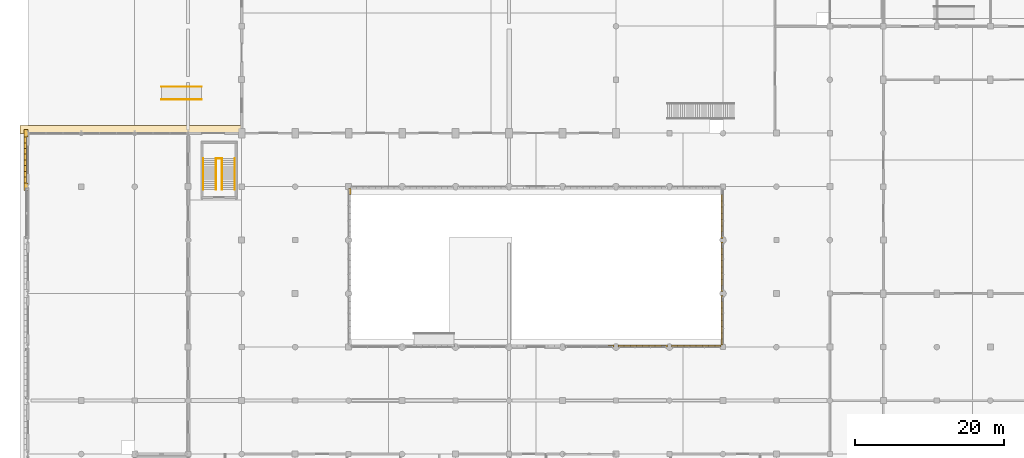
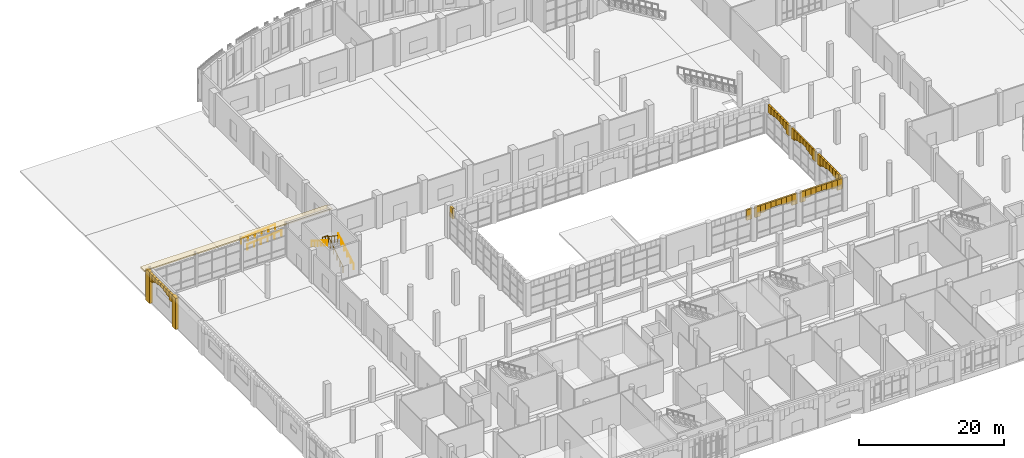
# One storey, part 74 of 85: 52 coverings, 5 railings.
"""IFC4 building model written with IfcOpenShell, lengths in metres."""

from ifc_helpers import new_model, si_unit, direction, frame, frame_2d, origin, origin_2d, place, context, subcontext, project, spatial, polyline, rectangle, circle, outline, extrude, material, layer, layer_set, type_object, element, save


model = new_model("IFC4")

# Units and contexts
model_context = context("Model", 3, precision=1e-05, world=origin(), true_north=direction((0.0, 1.0)))
body_context = subcontext(model_context, "Body", "Model", "MODEL_VIEW")
ifc_project = project(units=[si_unit("LENGTHUNIT", "METRE"), si_unit("AREAUNIT", "SQUARE_METRE"), si_unit("VOLUMEUNIT", "CUBIC_METRE"), si_unit("PLANEANGLEUNIT", "RADIAN"), si_unit("MASSUNIT", "GRAM", prefix="KILO")], contexts=[model_context])

# Site, building, storey
site_placement = place(None, origin())
site = spatial("IfcSite", under=ifc_project, at=site_placement, CompositionType="ELEMENT")
building_placement = place(site_placement, origin())
building = spatial("IfcBuilding", under=site, at=building_placement, Name="Sardonyx Promenade Sports Hall", CompositionType="ELEMENT")
storey_placement = place(building_placement, origin())
storey = spatial("IfcBuildingStorey", under=building, at=storey_placement, Name="L00", CompositionType="ELEMENT", Elevation=0.0)

# Coverings
ifc_material_1 = material(Name="Dressed Cape red sandstone cornice", Category="masonry")
ifc_layer_1 = layer(ifc_material_1, 0.139892578125)
ifc_layer_set_1 = layer_set([ifc_layer_1], Name="Cov_Chhajja_Eave")
covering_type_1 = type_object("IfcCoveringType", Name="Cov_Chhajja_Eave", PredefinedType="MOLDING", material=ifc_layer_set_1)
covering_1_placement = place(storey_placement, frame((0.0, 0.0, 5.25)))
element("IfcCovering", 1, at=covering_1_placement, inside=storey, type_object=covering_type_1, Name="West promenade north chhajja cornice", PredefinedType="MOLDING", context=body_context, shape_type="SweptSolid", body=[
    extrude(outline(polyline([(-1.050048828125, 71.949951171875), (28.85009765625, 71.949951171875), (28.85009765625, 73.050048828125), (-1.050048828125, 73.050048828125), (-1.050048828125, 71.949951171875)])), origin(), (0.0, 0.0, 1.0), 0.219970703125),
])
ifc_material_2 = material(Name="Dressed Cape red sandstone ashlar", Category="masonry")
ifc_layer_2 = layer(ifc_material_2, 0.06005859375)
ifc_layer_set_2 = layer_set([ifc_layer_2], Name="Cov_Cladding_Sandstone")
covering_type_2 = type_object("IfcCoveringType", Name="Cov_Cladding_Sandstone", PredefinedType="CLADDING", material=ifc_layer_set_2)
covering_2_placement = place(storey_placement, origin())
element("IfcCovering", 2, at=covering_2_placement, inside=storey, type_object=covering_type_2, Name="West sandstone pier casing L00 #9", PredefinedType="CLADDING", context=body_context, shape_type="SweptSolid", body=[
    extrude(outline(polyline([(-0.5, 64.280029296875), (0.02001953125, 64.280029296875), (0.02001953125, 65.320068359375), (-0.5, 65.320068359375), (-0.5, 64.280029296875)])), origin(), (0.0, 0.0, 1.0), 5.25),
])
covering_3_placement = place(storey_placement, origin())
element("IfcCovering", 3, at=covering_3_placement, inside=storey, type_object=covering_type_2, Name="West sandstone pier casing L00 #10", PredefinedType="CLADDING", context=body_context, shape_type="SweptSolid", body=[
    extrude(outline(polyline([(-0.5, 71.47998046875), (0.02001953125, 71.47998046875), (0.02001953125, 72.52001953125), (-0.5, 72.52001953125), (-0.5, 71.47998046875)])), origin(), (0.0, 0.0, 1.0), 5.25),
])
ifc_material_3 = material(Name="Carved Cape red sandstone ashlar", Category="masonry")
ifc_layer_3 = layer(ifc_material_3, 0.239990234375)
ifc_layer_set_3 = layer_set([ifc_layer_3], Name="Cov_Mughal_Arch")
covering_type_3 = type_object("IfcCoveringType", Name="Cov_Mughal_Arch", PredefinedType="CLADDING", material=ifc_layer_set_3)
covering_4_placement = place(storey_placement, frame((78.112548828125, 43.35009765625, 3.584716796875), z_axis=(0.0, 0.0, 1.0), x_axis=(1.0, 0.0, 0.0)))
element("IfcCovering", 4, at=covering_4_placement, inside=storey, type_object=covering_type_3, Name="Mughal pointed-arch spandrel L00 cov:rq:S:L00:4 #8", PredefinedType="CLADDING", context=body_context, shape_type="SweptSolid", body=[
    extrude(rectangle(XDim=0.83740234375, YDim=0.280029296875, at=frame_2d((0.418701171875, 0.0))), origin(), (0.0, 0.0, 1.0), 1.765380859375),
])
covering_5_placement = place(storey_placement, frame((79.449951171875, 43.35009765625, 3.584716796875), z_axis=(0.0, 0.0, 1.0), x_axis=(1.0, 0.0, 0.0)))
element("IfcCovering", 5, at=covering_5_placement, inside=storey, type_object=covering_type_3, Name="Mughal pointed-arch spandrel L00 cov:rq:S:L00:5 #1", PredefinedType="CLADDING", context=body_context, shape_type="SweptSolid", body=[
    extrude(rectangle(XDim=0.837646484375, YDim=0.280029296875, at=frame_2d((0.4189453125, 0.0))), origin(), (0.0, 0.0, 1.0), 1.765380859375),
])
covering_6_placement = place(storey_placement, frame((80.28759765625, 43.35009765625, 4.041748046875), z_axis=(0.0, 0.0, 1.0), x_axis=(1.0, 0.0, 0.0)))
element("IfcCovering", 6, at=covering_6_placement, inside=storey, type_object=covering_type_3, Name="Mughal pointed-arch spandrel L00 cov:rq:S:L00:5 #2", PredefinedType="CLADDING", context=body_context, shape_type="SweptSolid", body=[
    extrude(rectangle(XDim=0.83740234375, YDim=0.280029296875, at=frame_2d((0.418701171875, 0.0))), origin(), (0.0, 0.0, 1.0), 1.308349609375),
])
covering_7_placement = place(storey_placement, frame((81.125, 43.35009765625, 4.212158203125), z_axis=(0.0, 0.0, 1.0), x_axis=(1.0, 0.0, 0.0)))
element("IfcCovering", 7, at=covering_7_placement, inside=storey, type_object=covering_type_3, Name="Mughal pointed-arch spandrel L00 cov:rq:S:L00:5 #3", PredefinedType="CLADDING", context=body_context, shape_type="SweptSolid", body=[
    extrude(rectangle(XDim=0.83740234375, YDim=0.280029296875, at=frame_2d((0.418701171875, 0.0))), origin(), (0.0, 0.0, 1.0), 1.137939453125),
])
covering_8_placement = place(storey_placement, frame((81.96240234375, 43.35009765625, 4.429931640625), z_axis=(0.0, 0.0, 1.0), x_axis=(1.0, 0.0, 0.0)))
element("IfcCovering", 8, at=covering_8_placement, inside=storey, type_object=covering_type_3, Name="Mughal pointed-arch spandrel L00 cov:rq:S:L00:5 #4", PredefinedType="CLADDING", context=body_context, shape_type="SweptSolid", body=[
    extrude(rectangle(XDim=0.837646484375, YDim=0.280029296875, at=frame_2d((0.4189453125, 0.0))), origin(), (0.0, 0.0, 1.0), 0.920166015625),
])
covering_9_placement = place(storey_placement, frame((82.800048828125, 43.35009765625, 4.429931640625), z_axis=(0.0, 0.0, 1.0), x_axis=(1.0, 0.0, 0.0)))
element("IfcCovering", 9, at=covering_9_placement, inside=storey, type_object=covering_type_3, Name="Mughal pointed-arch spandrel L00 cov:rq:S:L00:5 #5", PredefinedType="CLADDING", context=body_context, shape_type="SweptSolid", body=[
    extrude(rectangle(XDim=0.83740234375, YDim=0.280029296875, at=frame_2d((0.418701171875, 0.0))), origin(), (0.0, 0.0, 1.0), 0.920166015625),
])
covering_10_placement = place(storey_placement, frame((83.637451171875, 43.35009765625, 4.212158203125), z_axis=(0.0, 0.0, 1.0), x_axis=(1.0, 0.0, 0.0)))
element("IfcCovering", 10, at=covering_10_placement, inside=storey, type_object=covering_type_3, Name="Mughal pointed-arch spandrel L00 cov:rq:S:L00:5 #6", PredefinedType="CLADDING", context=body_context, shape_type="SweptSolid", body=[
    extrude(rectangle(XDim=0.837646484375, YDim=0.280029296875, at=frame_2d((0.4189453125, 0.0))), origin(), (0.0, 0.0, 1.0), 1.137939453125),
])
covering_11_placement = place(storey_placement, frame((84.47509765625, 43.35009765625, 4.041748046875), z_axis=(0.0, 0.0, 1.0), x_axis=(1.0, 0.0, 0.0)))
element("IfcCovering", 11, at=covering_11_placement, inside=storey, type_object=covering_type_3, Name="Mughal pointed-arch spandrel L00 cov:rq:S:L00:5 #7", PredefinedType="CLADDING", context=body_context, shape_type="SweptSolid", body=[
    extrude(rectangle(XDim=0.83740234375, YDim=0.280029296875, at=frame_2d((0.418701171875, 0.0))), origin(), (0.0, 0.0, 1.0), 1.308349609375),
])
covering_12_placement = place(storey_placement, frame((85.3125, 43.35009765625, 3.584716796875), z_axis=(0.0, 0.0, 1.0), x_axis=(1.0, 0.0, 0.0)))
element("IfcCovering", 12, at=covering_12_placement, inside=storey, type_object=covering_type_3, Name="Mughal pointed-arch spandrel L00 cov:rq:S:L00:5 #8", PredefinedType="CLADDING", context=body_context, shape_type="SweptSolid", body=[
    extrude(rectangle(XDim=0.83740234375, YDim=0.280029296875, at=frame_2d((0.418701171875, 0.0))), origin(), (0.0, 0.0, 1.0), 1.765380859375),
])
covering_13_placement = place(storey_placement, frame((86.64990234375, 43.35009765625, 3.584716796875), z_axis=(0.0, 0.0, 1.0), x_axis=(1.0, 0.0, 0.0)))
element("IfcCovering", 13, at=covering_13_placement, inside=storey, type_object=covering_type_3, Name="Mughal pointed-arch spandrel L00 cov:rq:S:L00:6 #1", PredefinedType="CLADDING", context=body_context, shape_type="SweptSolid", body=[
    extrude(rectangle(XDim=0.837646484375, YDim=0.280029296875, at=frame_2d((0.4189453125, 0.0))), origin(), (0.0, 0.0, 1.0), 1.765380859375),
])
covering_14_placement = place(storey_placement, frame((87.487548828125, 43.35009765625, 4.041748046875), z_axis=(0.0, 0.0, 1.0), x_axis=(1.0, 0.0, 0.0)))
element("IfcCovering", 14, at=covering_14_placement, inside=storey, type_object=covering_type_3, Name="Mughal pointed-arch spandrel L00 cov:rq:S:L00:6 #2", PredefinedType="CLADDING", context=body_context, shape_type="SweptSolid", body=[
    extrude(rectangle(XDim=0.83740234375, YDim=0.280029296875, at=frame_2d((0.418701171875, 0.0))), origin(), (0.0, 0.0, 1.0), 1.308349609375),
])
covering_15_placement = place(storey_placement, frame((88.324951171875, 43.35009765625, 4.212158203125), z_axis=(0.0, 0.0, 1.0), x_axis=(1.0, 0.0, 0.0)))
element("IfcCovering", 15, at=covering_15_placement, inside=storey, type_object=covering_type_3, Name="Mughal pointed-arch spandrel L00 cov:rq:S:L00:6 #3", PredefinedType="CLADDING", context=body_context, shape_type="SweptSolid", body=[
    extrude(rectangle(XDim=0.837646484375, YDim=0.280029296875, at=frame_2d((0.4189453125, 0.0))), origin(), (0.0, 0.0, 1.0), 1.137939453125),
])
for number, where, z_axis, x_axis, name in (
    (16, (89.16259765625, 43.35009765625, 4.429931640625), (0.0, 0.0, 1.0), (1.0, 0.0, 0.0), "Mughal pointed-arch spandrel L00 cov:rq:S:L00:6 #4"),
    (17, (90.0, 43.35009765625, 4.429931640625), (0.0, 0.0, 1.0), (1.0, 0.0, 0.0), "Mughal pointed-arch spandrel L00 cov:rq:S:L00:6 #5"),
):
    element("IfcCovering", number, at=place(storey_placement, frame(where, z_axis=z_axis, x_axis=x_axis)), inside=storey, type_object=covering_type_3, Name=name, PredefinedType="CLADDING", context=body_context, shape_type="SweptSolid", body=[
        extrude(rectangle(XDim=0.83740234375, YDim=0.280029296875, at=frame_2d((0.418701171875, 0.0))), origin(), (0.0, 0.0, 1.0), 0.920166015625),
    ])
covering_16_placement = place(storey_placement, frame((90.83740234375, 43.35009765625, 4.212158203125), z_axis=(0.0, 0.0, 1.0), x_axis=(1.0, 0.0, 0.0)))
element("IfcCovering", 18, at=covering_16_placement, inside=storey, type_object=covering_type_3, Name="Mughal pointed-arch spandrel L00 cov:rq:S:L00:6 #6", PredefinedType="CLADDING", context=body_context, shape_type="SweptSolid", body=[
    extrude(rectangle(XDim=0.837646484375, YDim=0.280029296875, at=frame_2d((0.4189453125, 0.0))), origin(), (0.0, 0.0, 1.0), 1.137939453125),
])
covering_17_placement = place(storey_placement, frame((91.675048828125, 43.35009765625, 4.041748046875), z_axis=(0.0, 0.0, 1.0), x_axis=(1.0, 0.0, 0.0)))
element("IfcCovering", 19, at=covering_17_placement, inside=storey, type_object=covering_type_3, Name="Mughal pointed-arch spandrel L00 cov:rq:S:L00:6 #7", PredefinedType="CLADDING", context=body_context, shape_type="SweptSolid", body=[
    extrude(rectangle(XDim=0.83740234375, YDim=0.280029296875, at=frame_2d((0.418701171875, 0.0))), origin(), (0.0, 0.0, 1.0), 1.308349609375),
])
for number, where, z_axis, x_axis, name in (
    (20, (92.512451171875, 43.35009765625, 3.584716796875), (0.0, 0.0, 1.0), (1.0, 0.0, 0.0), "Mughal pointed-arch spandrel L00 cov:rq:S:L00:6 #8"),
    (21, (93.449951171875, 43.449951171875, 3.584716796875), (0.0, 0.0, 1.0), (0.0, 1.0, 0.0), "Mughal pointed-arch spandrel L00 cov:rq:E:L00:0 #1"),
):
    element("IfcCovering", number, at=place(storey_placement, frame(where, z_axis=z_axis, x_axis=x_axis)), inside=storey, type_object=covering_type_3, Name=name, PredefinedType="CLADDING", context=body_context, shape_type="SweptSolid", body=[
        extrude(rectangle(XDim=0.837646484375, YDim=0.280029296875, at=frame_2d((0.4189453125, 0.0))), origin(), (0.0, 0.0, 1.0), 1.765380859375),
    ])
covering_18_placement = place(storey_placement, frame((93.449951171875, 44.28759765625, 4.041748046875), z_axis=(0.0, 0.0, 1.0), x_axis=(0.0, 1.0, 0.0)))
element("IfcCovering", 22, at=covering_18_placement, inside=storey, type_object=covering_type_3, Name="Mughal pointed-arch spandrel L00 cov:rq:E:L00:0 #2", PredefinedType="CLADDING", context=body_context, shape_type="SweptSolid", body=[
    extrude(rectangle(XDim=0.83740234375, YDim=0.280029296875, at=frame_2d((0.418701171875, 0.0))), origin(), (0.0, 0.0, 1.0), 1.308349609375),
])
covering_19_placement = place(storey_placement, frame((93.449951171875, 45.125, 4.212158203125), z_axis=(0.0, 0.0, 1.0), x_axis=(0.0, 1.0, 0.0)))
element("IfcCovering", 23, at=covering_19_placement, inside=storey, type_object=covering_type_3, Name="Mughal pointed-arch spandrel L00 cov:rq:E:L00:0 #3", PredefinedType="CLADDING", context=body_context, shape_type="SweptSolid", body=[
    extrude(rectangle(XDim=0.83740234375, YDim=0.280029296875, at=frame_2d((0.418701171875, 0.0))), origin(), (0.0, 0.0, 1.0), 1.137939453125),
])
covering_20_placement = place(storey_placement, frame((93.449951171875, 45.96240234375, 4.429931640625), z_axis=(0.0, 0.0, 1.0), x_axis=(0.0, 1.0, 0.0)))
element("IfcCovering", 24, at=covering_20_placement, inside=storey, type_object=covering_type_3, Name="Mughal pointed-arch spandrel L00 cov:rq:E:L00:0 #4", PredefinedType="CLADDING", context=body_context, shape_type="SweptSolid", body=[
    extrude(rectangle(XDim=0.837646484375, YDim=0.280029296875, at=frame_2d((0.4189453125, 0.0))), origin(), (0.0, 0.0, 1.0), 0.920166015625),
])
covering_21_placement = place(storey_placement, frame((93.449951171875, 46.800048828125, 4.429931640625), z_axis=(0.0, 0.0, 1.0), x_axis=(0.0, 1.0, 0.0)))
element("IfcCovering", 25, at=covering_21_placement, inside=storey, type_object=covering_type_3, Name="Mughal pointed-arch spandrel L00 cov:rq:E:L00:0 #5", PredefinedType="CLADDING", context=body_context, shape_type="SweptSolid", body=[
    extrude(rectangle(XDim=0.83740234375, YDim=0.280029296875, at=frame_2d((0.418701171875, 0.0))), origin(), (0.0, 0.0, 1.0), 0.920166015625),
])
covering_22_placement = place(storey_placement, frame((93.449951171875, 47.637451171875, 4.212158203125), z_axis=(0.0, 0.0, 1.0), x_axis=(0.0, 1.0, 0.0)))
element("IfcCovering", 26, at=covering_22_placement, inside=storey, type_object=covering_type_3, Name="Mughal pointed-arch spandrel L00 cov:rq:E:L00:0 #6", PredefinedType="CLADDING", context=body_context, shape_type="SweptSolid", body=[
    extrude(rectangle(XDim=0.837646484375, YDim=0.280029296875, at=frame_2d((0.4189453125, 0.0))), origin(), (0.0, 0.0, 1.0), 1.137939453125),
])
covering_23_placement = place(storey_placement, frame((93.449951171875, 48.47509765625, 4.041748046875), z_axis=(0.0, 0.0, 1.0), x_axis=(0.0, 1.0, 0.0)))
element("IfcCovering", 27, at=covering_23_placement, inside=storey, type_object=covering_type_3, Name="Mughal pointed-arch spandrel L00 cov:rq:E:L00:0 #7", PredefinedType="CLADDING", context=body_context, shape_type="SweptSolid", body=[
    extrude(rectangle(XDim=0.83740234375, YDim=0.280029296875, at=frame_2d((0.418701171875, 0.0))), origin(), (0.0, 0.0, 1.0), 1.308349609375),
])
covering_24_placement = place(storey_placement, frame((93.449951171875, 49.3125, 3.584716796875), z_axis=(0.0, 0.0, 1.0), x_axis=(0.0, 1.0, 0.0)))
element("IfcCovering", 28, at=covering_24_placement, inside=storey, type_object=covering_type_3, Name="Mughal pointed-arch spandrel L00 cov:rq:E:L00:0 #8", PredefinedType="CLADDING", context=body_context, shape_type="SweptSolid", body=[
    extrude(rectangle(XDim=0.83740234375, YDim=0.280029296875, at=frame_2d((0.418701171875, 0.0))), origin(), (0.0, 0.0, 1.0), 1.765380859375),
])
covering_25_placement = place(storey_placement, frame((93.449951171875, 50.64990234375, 3.584716796875), z_axis=(0.0, 0.0, 1.0), x_axis=(0.0, 1.0, 0.0)))
element("IfcCovering", 29, at=covering_25_placement, inside=storey, type_object=covering_type_3, Name="Mughal pointed-arch spandrel L00 cov:rq:E:L00:1 #1", PredefinedType="CLADDING", context=body_context, shape_type="SweptSolid", body=[
    extrude(rectangle(XDim=0.837646484375, YDim=0.280029296875, at=frame_2d((0.4189453125, 0.0))), origin(), (0.0, 0.0, 1.0), 1.765380859375),
])
covering_26_placement = place(storey_placement, frame((93.449951171875, 51.487548828125, 4.041748046875), z_axis=(0.0, 0.0, 1.0), x_axis=(0.0, 1.0, 0.0)))
element("IfcCovering", 30, at=covering_26_placement, inside=storey, type_object=covering_type_3, Name="Mughal pointed-arch spandrel L00 cov:rq:E:L00:1 #2", PredefinedType="CLADDING", context=body_context, shape_type="SweptSolid", body=[
    extrude(rectangle(XDim=0.83740234375, YDim=0.280029296875, at=frame_2d((0.418701171875, 0.0))), origin(), (0.0, 0.0, 1.0), 1.308349609375),
])
covering_27_placement = place(storey_placement, frame((93.449951171875, 52.324951171875, 4.212158203125), z_axis=(0.0, 0.0, 1.0), x_axis=(0.0, 1.0, 0.0)))
element("IfcCovering", 31, at=covering_27_placement, inside=storey, type_object=covering_type_3, Name="Mughal pointed-arch spandrel L00 cov:rq:E:L00:1 #3", PredefinedType="CLADDING", context=body_context, shape_type="SweptSolid", body=[
    extrude(rectangle(XDim=0.837646484375, YDim=0.280029296875, at=frame_2d((0.4189453125, 0.0))), origin(), (0.0, 0.0, 1.0), 1.137939453125),
])
for number, where, z_axis, x_axis, name in (
    (32, (93.449951171875, 53.16259765625, 4.429931640625), (0.0, 0.0, 1.0), (0.0, 1.0, 0.0), "Mughal pointed-arch spandrel L00 cov:rq:E:L00:1 #4"),
    (33, (93.449951171875, 54.0, 4.429931640625), (0.0, 0.0, 1.0), (0.0, 1.0, 0.0), "Mughal pointed-arch spandrel L00 cov:rq:E:L00:1 #5"),
):
    element("IfcCovering", number, at=place(storey_placement, frame(where, z_axis=z_axis, x_axis=x_axis)), inside=storey, type_object=covering_type_3, Name=name, PredefinedType="CLADDING", context=body_context, shape_type="SweptSolid", body=[
        extrude(rectangle(XDim=0.83740234375, YDim=0.280029296875, at=frame_2d((0.418701171875, 0.0))), origin(), (0.0, 0.0, 1.0), 0.920166015625),
    ])
covering_28_placement = place(storey_placement, frame((93.449951171875, 54.83740234375, 4.212158203125), z_axis=(0.0, 0.0, 1.0), x_axis=(0.0, 1.0, 0.0)))
element("IfcCovering", 34, at=covering_28_placement, inside=storey, type_object=covering_type_3, Name="Mughal pointed-arch spandrel L00 cov:rq:E:L00:1 #6", PredefinedType="CLADDING", context=body_context, shape_type="SweptSolid", body=[
    extrude(rectangle(XDim=0.837646484375, YDim=0.280029296875, at=frame_2d((0.4189453125, 0.0))), origin(), (0.0, 0.0, 1.0), 1.137939453125),
])
covering_29_placement = place(storey_placement, frame((93.449951171875, 55.675048828125, 4.041748046875), z_axis=(0.0, 0.0, 1.0), x_axis=(0.0, 1.0, 0.0)))
element("IfcCovering", 35, at=covering_29_placement, inside=storey, type_object=covering_type_3, Name="Mughal pointed-arch spandrel L00 cov:rq:E:L00:1 #7", PredefinedType="CLADDING", context=body_context, shape_type="SweptSolid", body=[
    extrude(rectangle(XDim=0.83740234375, YDim=0.280029296875, at=frame_2d((0.418701171875, 0.0))), origin(), (0.0, 0.0, 1.0), 1.308349609375),
])
for number, where, z_axis, x_axis, name in (
    (36, (93.449951171875, 56.512451171875, 3.584716796875), (0.0, 0.0, 1.0), (0.0, 1.0, 0.0), "Mughal pointed-arch spandrel L00 cov:rq:E:L00:1 #8"),
    (37, (43.35009765625, 63.71240234375, 3.584716796875), (0.0, 0.0, 1.0), (0.0, 1.0, 0.0), "Mughal pointed-arch spandrel L00 cov:rq:W:L00:2 #8"),
):
    element("IfcCovering", number, at=place(storey_placement, frame(where, z_axis=z_axis, x_axis=x_axis)), inside=storey, type_object=covering_type_3, Name=name, PredefinedType="CLADDING", context=body_context, shape_type="SweptSolid", body=[
        extrude(rectangle(XDim=0.837646484375, YDim=0.280029296875, at=frame_2d((0.4189453125, 0.0))), origin(), (0.0, 0.0, 1.0), 1.765380859375),
    ])
covering_30_placement = place(storey_placement, frame((93.449951171875, 57.85009765625, 3.584716796875), z_axis=(0.0, 0.0, 1.0), x_axis=(0.0, 1.0, 0.0)))
element("IfcCovering", 38, at=covering_30_placement, inside=storey, type_object=covering_type_3, Name="Mughal pointed-arch spandrel L00 cov:rq:E:L00:2 #1", PredefinedType="CLADDING", context=body_context, shape_type="SweptSolid", body=[
    extrude(rectangle(XDim=0.83740234375, YDim=0.280029296875, at=frame_2d((0.418701171875, 0.0))), origin(), (0.0, 0.0, 1.0), 1.765380859375),
])
covering_31_placement = place(storey_placement, frame((93.449951171875, 58.6875, 4.041748046875), z_axis=(0.0, 0.0, 1.0), x_axis=(0.0, 1.0, 0.0)))
element("IfcCovering", 39, at=covering_31_placement, inside=storey, type_object=covering_type_3, Name="Mughal pointed-arch spandrel L00 cov:rq:E:L00:2 #2", PredefinedType="CLADDING", context=body_context, shape_type="SweptSolid", body=[
    extrude(rectangle(XDim=0.83740234375, YDim=0.280029296875, at=frame_2d((0.418701171875, 0.0))), origin(), (0.0, 0.0, 1.0), 1.308349609375),
])
covering_32_placement = place(storey_placement, frame((93.449951171875, 59.52490234375, 4.212158203125), z_axis=(0.0, 0.0, 1.0), x_axis=(0.0, 1.0, 0.0)))
element("IfcCovering", 40, at=covering_32_placement, inside=storey, type_object=covering_type_3, Name="Mughal pointed-arch spandrel L00 cov:rq:E:L00:2 #3", PredefinedType="CLADDING", context=body_context, shape_type="SweptSolid", body=[
    extrude(rectangle(XDim=0.837646484375, YDim=0.280029296875, at=frame_2d((0.4189453125, 0.0))), origin(), (0.0, 0.0, 1.0), 1.137939453125),
])
covering_33_placement = place(storey_placement, frame((93.449951171875, 60.362548828125, 4.429931640625), z_axis=(0.0, 0.0, 1.0), x_axis=(0.0, 1.0, 0.0)))
element("IfcCovering", 41, at=covering_33_placement, inside=storey, type_object=covering_type_3, Name="Mughal pointed-arch spandrel L00 cov:rq:E:L00:2 #4", PredefinedType="CLADDING", context=body_context, shape_type="SweptSolid", body=[
    extrude(rectangle(XDim=0.83740234375, YDim=0.280029296875, at=frame_2d((0.418701171875, 0.0))), origin(), (0.0, 0.0, 1.0), 0.920166015625),
])
covering_34_placement = place(storey_placement, frame((93.449951171875, 61.199951171875, 4.429931640625), z_axis=(0.0, 0.0, 1.0), x_axis=(0.0, 1.0, 0.0)))
element("IfcCovering", 42, at=covering_34_placement, inside=storey, type_object=covering_type_3, Name="Mughal pointed-arch spandrel L00 cov:rq:E:L00:2 #5", PredefinedType="CLADDING", context=body_context, shape_type="SweptSolid", body=[
    extrude(rectangle(XDim=0.837646484375, YDim=0.280029296875, at=frame_2d((0.4189453125, 0.0))), origin(), (0.0, 0.0, 1.0), 0.920166015625),
])
covering_35_placement = place(storey_placement, frame((93.449951171875, 62.03759765625, 4.212158203125), z_axis=(0.0, 0.0, 1.0), x_axis=(0.0, 1.0, 0.0)))
element("IfcCovering", 43, at=covering_35_placement, inside=storey, type_object=covering_type_3, Name="Mughal pointed-arch spandrel L00 cov:rq:E:L00:2 #6", PredefinedType="CLADDING", context=body_context, shape_type="SweptSolid", body=[
    extrude(rectangle(XDim=0.83740234375, YDim=0.280029296875, at=frame_2d((0.418701171875, 0.0))), origin(), (0.0, 0.0, 1.0), 1.137939453125),
])
covering_36_placement = place(storey_placement, frame((93.449951171875, 62.875, 4.041748046875), z_axis=(0.0, 0.0, 1.0), x_axis=(0.0, 1.0, 0.0)))
element("IfcCovering", 44, at=covering_36_placement, inside=storey, type_object=covering_type_3, Name="Mughal pointed-arch spandrel L00 cov:rq:E:L00:2 #7", PredefinedType="CLADDING", context=body_context, shape_type="SweptSolid", body=[
    extrude(rectangle(XDim=0.83740234375, YDim=0.280029296875, at=frame_2d((0.418701171875, 0.0))), origin(), (0.0, 0.0, 1.0), 1.308349609375),
])
covering_37_placement = place(storey_placement, frame((-0.340087890625, 65.320068359375, 3.977783203125), z_axis=(0.0, 0.0, 1.0), x_axis=(0.0, 1.0, 0.0)))
element("IfcCovering", 45, at=covering_37_placement, inside=storey, type_object=covering_type_3, Name="Mughal pointed-arch spandrel L00 cov:wl00arch:09 #1", PredefinedType="CLADDING", context=body_context, shape_type="SweptSolid", body=[
    extrude(rectangle(XDim=0.77001953125, YDim=0.340087890625, at=frame_2d((0.385009765625, 0.0))), origin(), (0.0, 0.0, 1.0), 1.272216796875),
])
covering_38_placement = place(storey_placement, frame((-0.340087890625, 66.090087890625, 4.3671875), z_axis=(0.0, 0.0, 1.0), x_axis=(0.0, 1.0, 0.0)))
element("IfcCovering", 46, at=covering_38_placement, inside=storey, type_object=covering_type_3, Name="Mughal pointed-arch spandrel L00 cov:wl00arch:09 #2", PredefinedType="CLADDING", context=body_context, shape_type="SweptSolid", body=[
    extrude(rectangle(XDim=0.77001953125, YDim=0.340087890625, at=frame_2d((0.385009765625, 0.0))), origin(), (0.0, 0.0, 1.0), 0.8828125),
])
covering_39_placement = place(storey_placement, frame((-0.340087890625, 66.860107421875, 4.51220703125), z_axis=(0.0, 0.0, 1.0), x_axis=(0.0, 1.0, 0.0)))
element("IfcCovering", 47, at=covering_39_placement, inside=storey, type_object=covering_type_3, Name="Mughal pointed-arch spandrel L00 cov:wl00arch:09 #3", PredefinedType="CLADDING", context=body_context, shape_type="SweptSolid", body=[
    extrude(rectangle(XDim=0.769775390625, YDim=0.340087890625, at=frame_2d((0.384765625, 0.0))), origin(), (0.0, 0.0, 1.0), 0.73779296875),
])
for number, where, z_axis, x_axis, name in (
    (48, (-0.340087890625, 67.6298828125, 4.69775390625), (0.0, 0.0, 1.0), (0.0, 1.0, 0.0), "Mughal pointed-arch spandrel L00 cov:wl00arch:09 #4"),
    (49, (-0.340087890625, 68.39990234375, 4.69775390625), (0.0, 0.0, 1.0), (0.0, 1.0, 0.0), "Mughal pointed-arch spandrel L00 cov:wl00arch:09 #5"),
):
    element("IfcCovering", number, at=place(storey_placement, frame(where, z_axis=z_axis, x_axis=x_axis)), inside=storey, type_object=covering_type_3, Name=name, PredefinedType="CLADDING", context=body_context, shape_type="SweptSolid", body=[
        extrude(rectangle(XDim=0.77001953125, YDim=0.340087890625, at=frame_2d((0.385009765625, 0.0))), origin(), (0.0, 0.0, 1.0), 0.55224609375),
    ])
covering_40_placement = place(storey_placement, frame((-0.340087890625, 69.169921875, 4.51220703125), z_axis=(0.0, 0.0, 1.0), x_axis=(0.0, 1.0, 0.0)))
element("IfcCovering", 50, at=covering_40_placement, inside=storey, type_object=covering_type_3, Name="Mughal pointed-arch spandrel L00 cov:wl00arch:09 #6", PredefinedType="CLADDING", context=body_context, shape_type="SweptSolid", body=[
    extrude(rectangle(XDim=0.77001953125, YDim=0.340087890625, at=frame_2d((0.385009765625, 0.0))), origin(), (0.0, 0.0, 1.0), 0.73779296875),
])
covering_41_placement = place(storey_placement, frame((-0.340087890625, 69.93994140625, 4.3671875), z_axis=(0.0, 0.0, 1.0), x_axis=(0.0, 1.0, 0.0)))
element("IfcCovering", 51, at=covering_41_placement, inside=storey, type_object=covering_type_3, Name="Mughal pointed-arch spandrel L00 cov:wl00arch:09 #7", PredefinedType="CLADDING", context=body_context, shape_type="SweptSolid", body=[
    extrude(rectangle(XDim=0.77001953125, YDim=0.340087890625, at=frame_2d((0.385009765625, 0.0))), origin(), (0.0, 0.0, 1.0), 0.8828125),
])
covering_42_placement = place(storey_placement, frame((-0.340087890625, 70.7099609375, 3.977783203125), z_axis=(0.0, 0.0, 1.0), x_axis=(0.0, 1.0, 0.0)))
element("IfcCovering", 52, at=covering_42_placement, inside=storey, type_object=covering_type_3, Name="Mughal pointed-arch spandrel L00 cov:wl00arch:09 #8", PredefinedType="CLADDING", context=body_context, shape_type="SweptSolid", body=[
    extrude(rectangle(XDim=0.77001953125, YDim=0.340087890625, at=frame_2d((0.385009765625, 0.0))), origin(), (0.0, 0.0, 1.0), 1.272216796875),
])

# Railings
ifc_material_4 = material(Name="Stainless steel Grade 316", Category="steel")
railing_type_1 = type_object("IfcRailingType", Name="Rail_Ext_Handrail_900", PredefinedType="HANDRAIL", material=ifc_material_4)
for number, where, name in (
    (53, (18.0, 76.550048828125, -0.449951171875), "Ramp handrail HR01 #3S"),
    (54, (18.0, 78.25, -0.449951171875), "Ramp handrail HR01 #3N"),
):
    element("IfcRailing", number, at=place(storey_placement, frame(where)), inside=storey, type_object=railing_type_1, Name=name, PredefinedType="HANDRAIL", context=body_context, shape_type="SweptSolid", body=[
        extrude(circle(Radius=0.02392578125, at=origin_2d()), frame((0.0, 0.0, 0.8759765625), z_axis=(0.996546379678, 0.0, 0.083038022323), x_axis=(0.0, 1.0, 0.0)), (0.0, 0.0, 1.0), 5.418701171875),
        extrude(circle(Radius=0.02099609375, at=origin_2d()), origin(), (0.0, 0.0, 1.0), 0.851806640625),
        extrude(circle(Radius=0.02099609375, at=origin_2d()), frame((1.080078125, 0.0, 0.090087890625)), (0.0, 0.0, 1.0), 0.851806640625),
        extrude(circle(Radius=0.02099609375, at=origin_2d()), frame((2.159912109375, 0.0, 0.179931640625)), (0.0, 0.0, 1.0), 0.851806640625),
        extrude(circle(Radius=0.02099609375, at=origin_2d()), frame((3.239990234375, 0.0, 0.27001953125)), (0.0, 0.0, 1.0), 0.851806640625),
        extrude(circle(Radius=0.02099609375, at=origin_2d()), frame((4.31982421875, 0.0, 0.35986328125)), (0.0, 0.0, 1.0), 0.851806640625),
        extrude(circle(Radius=0.02099609375, at=origin_2d()), frame((5.39990234375, 0.0, 0.449951171875)), (0.0, 0.0, 1.0), 0.851806640625),
    ])
ifc_material_5 = material(Name="Powder-coated Steel S355JR", Category="steel")
railing_type_2 = type_object("IfcRailingType", Name="Rail_Int_Guard_1100", PredefinedType="GUARDRAIL", material=ifc_material_5)
railing_1_placement = place(storey_placement, frame((26.1650390625, 64.39990234375, 0.175048828125)))
element("IfcRailing", 55, at=railing_1_placement, inside=storey, type_object=railing_type_2, Name="Stair inner well guard ST7 L00", PredefinedType="GUARDRAIL", context=body_context, shape_type="SweptSolid", body=[
    extrude(circle(Radius=0.02392578125, at=origin_2d()), frame((0.0, 0.0, 1.09619140625), z_axis=(0.0, 0.846868231521, 0.531802781528), x_axis=(-1.0, 0.0, 0.0)), (0.0, 0.0, 1.0), 4.93603515625),
    extrude(circle(Radius=0.02392578125, at=origin_2d()), frame((0.0, 4.18017578125, 3.72119140625), z_axis=(-1.0, 0.0, 0.0), x_axis=(0.0, -1.0, 0.0)), (0.0, 0.0, 1.0), 0.830078125),
    extrude(circle(Radius=0.02392578125, at=origin_2d()), frame((-0.830078125, 4.18017578125, 3.72119140625), z_axis=(0.0, -0.830831454536, 0.556524118214), x_axis=(1.0, 0.0, 0.0)), (0.0, 0.0, 1.0), 5.03125),
    extrude(circle(Radius=0.02099609375, at=origin_2d()), origin(), (0.0, 0.0, 1.0), 1.072021484375),
    extrude(circle(Radius=0.02099609375, at=origin_2d()), frame((0.0, 0.8359375, 0.52490234375)), (0.0, 0.0, 1.0), 1.072021484375),
    extrude(circle(Radius=0.02099609375, at=origin_2d()), frame((0.0, 1.672119140625, 1.050048828125)), (0.0, 0.0, 1.0), 1.072021484375),
    extrude(circle(Radius=0.02099609375, at=origin_2d()), frame((0.0, 2.508056640625, 1.574951171875)), (0.0, 0.0, 1.0), 1.072021484375),
    extrude(circle(Radius=0.02099609375, at=origin_2d()), frame((0.0, 3.34423828125, 2.10009765625)), (0.0, 0.0, 1.0), 1.072021484375),
    extrude(circle(Radius=0.02099609375, at=origin_2d()), frame((0.0, 4.18017578125, 2.625)), (0.0, 0.0, 1.0), 1.072021484375),
    extrude(circle(Radius=0.02099609375, at=origin_2d()), frame((-0.830078125, 4.18017578125, 2.625)), (0.0, 0.0, 1.0), 1.072021484375),
    extrude(circle(Radius=0.02099609375, at=origin_2d()), frame((-0.830078125, 3.34423828125, 3.18505859375)), (0.0, 0.0, 1.0), 1.072021484375),
    extrude(circle(Radius=0.02099609375, at=origin_2d()), frame((-0.830078125, 2.508056640625, 3.7451171875)), (0.0, 0.0, 1.0), 1.072021484375),
    extrude(circle(Radius=0.02099609375, at=origin_2d()), frame((-0.830078125, 1.672119140625, 4.304931640625)), (0.0, 0.0, 1.0), 1.072021484375),
    extrude(circle(Radius=0.02099609375, at=origin_2d()), frame((-0.830078125, 0.8359375, 4.864990234375)), (0.0, 0.0, 1.0), 1.072021484375),
    extrude(circle(Radius=0.02099609375, at=origin_2d()), frame((-0.830078125, 0.0, 5.425048828125)), (0.0, 0.0, 1.0), 1.072021484375),
])
ifc_material_6 = material(Name="Brushed stainless steel Grade 304", Category="steel")
railing_type_3 = type_object("IfcRailingType", Name="Rail_Int_Handrail_900", PredefinedType="HANDRAIL", material=ifc_material_6)
railing_2_placement = place(storey_placement, frame((27.875, 64.39990234375, 0.175048828125)))
element("IfcRailing", 56, at=railing_2_placement, inside=storey, type_object=railing_type_3, Name="Stair handrail ST7 L00 F1", PredefinedType="HANDRAIL", context=body_context, shape_type="SweptSolid", body=[
    extrude(circle(Radius=0.02392578125, at=origin_2d()), frame((0.0, 0.0, 0.8759765625), z_axis=(0.0, 0.848009380541, 0.529981217134), x_axis=(-1.0, 0.0, 0.0)), (0.0, 0.0, 1.0), 4.953125),
    extrude(circle(Radius=0.02099609375, at=origin_2d()), origin(), (0.0, 0.0, 1.0), 0.851806640625),
    extrude(circle(Radius=0.02099609375, at=origin_2d()), frame((0.0, 0.840087890625, 0.52490234375)), (0.0, 0.0, 1.0), 0.851806640625),
    extrude(circle(Radius=0.02099609375, at=origin_2d()), frame((0.0, 1.68017578125, 1.050048828125)), (0.0, 0.0, 1.0), 0.851806640625),
    extrude(circle(Radius=0.02099609375, at=origin_2d()), frame((0.0, 2.52001953125, 1.574951171875)), (0.0, 0.0, 1.0), 0.851806640625),
    extrude(circle(Radius=0.02099609375, at=origin_2d()), frame((0.0, 3.360107421875, 2.10009765625)), (0.0, 0.0, 1.0), 0.851806640625),
    extrude(circle(Radius=0.02099609375, at=origin_2d()), frame((0.0, 4.2001953125, 2.625)), (0.0, 0.0, 1.0), 0.851806640625),
])
railing_3_placement = place(storey_placement, frame((23.625, 68.60009765625, 2.97509765625)))
element("IfcRailing", 57, at=railing_3_placement, inside=storey, type_object=railing_type_3, Name="Stair handrail ST7 L00 F2", PredefinedType="HANDRAIL", context=body_context, shape_type="SweptSolid", body=[
    extrude(circle(Radius=0.02392578125, at=origin_2d()), frame((0.0, 0.0, 0.8759765625), z_axis=(0.0, -0.848009380541, 0.529981217134), x_axis=(1.0, 0.0, 0.0)), (0.0, 0.0, 1.0), 4.953125),
    extrude(circle(Radius=0.02099609375, at=origin_2d()), origin(), (0.0, 0.0, 1.0), 0.851806640625),
    extrude(circle(Radius=0.02099609375, at=origin_2d()), frame((0.0, -0.840087890625, 0.52490234375)), (0.0, 0.0, 1.0), 0.851806640625),
    extrude(circle(Radius=0.02099609375, at=origin_2d()), frame((0.0, -1.68017578125, 1.050048828125)), (0.0, 0.0, 1.0), 0.851806640625),
    extrude(circle(Radius=0.02099609375, at=origin_2d()), frame((0.0, -2.52001953125, 1.574951171875)), (0.0, 0.0, 1.0), 0.851806640625),
    extrude(circle(Radius=0.02099609375, at=origin_2d()), frame((0.0, -3.360107421875, 2.10009765625)), (0.0, 0.0, 1.0), 0.851806640625),
    extrude(circle(Radius=0.02099609375, at=origin_2d()), frame((0.0, -4.2001953125, 2.625)), (0.0, 0.0, 1.0), 0.851806640625),
])

save(model, "model.ifc")
